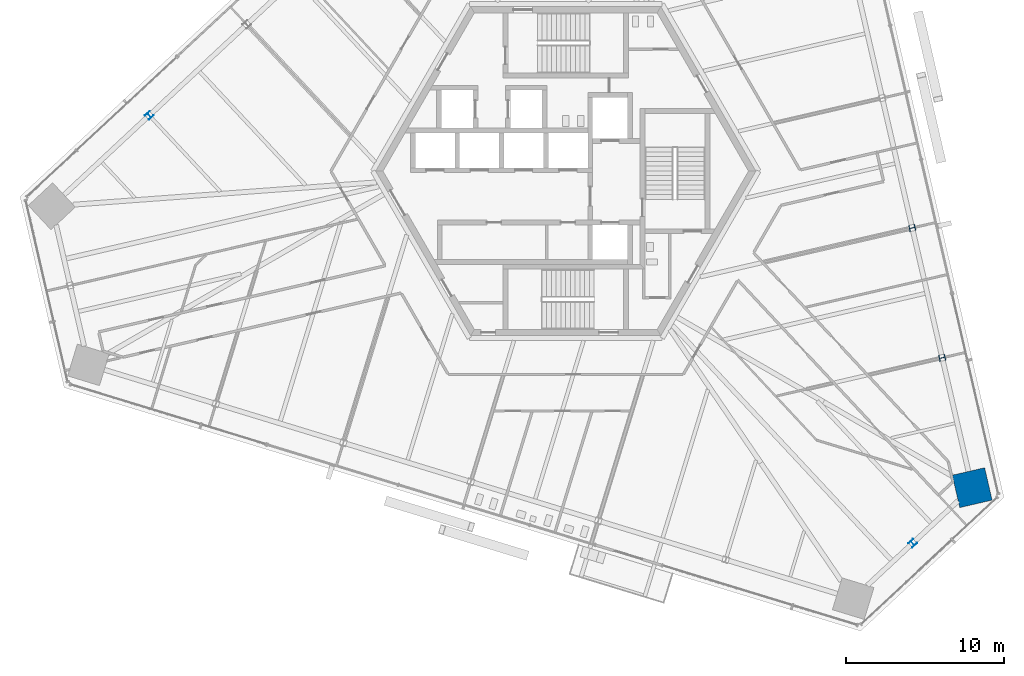
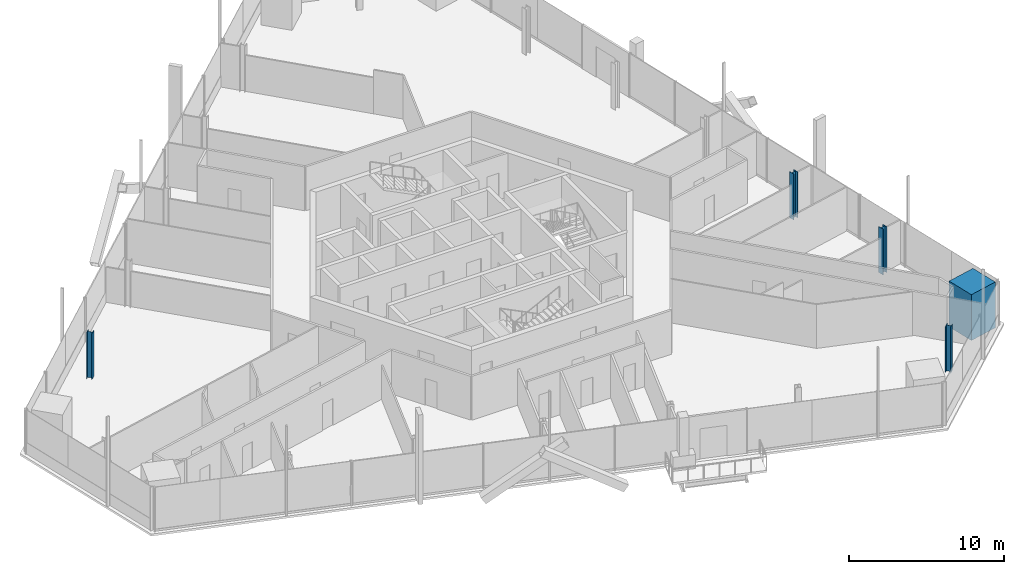
# One storey, part 2 of 24: 5 columns.
"""IFC4 building model written with IfcOpenShell, lengths in metres."""

from ifc_helpers import new_model, si_unit, direction, frame, origin, origin_2d, place, context, subcontext, project, spatial, rectangle, i_section, extrude, source, transform, mapped, material, material_profile, profile_set, type_object, element, save


model = new_model("IFC4")

# Units and contexts
model_context = context("Model", 3, precision=1e-05, world=origin(), true_north=direction((0.0, 1.0)))
body_context = subcontext(model_context, "Body", "Model", "MODEL_VIEW")
ifc_project = project(units=[si_unit("LENGTHUNIT", "METRE"), si_unit("AREAUNIT", "SQUARE_METRE"), si_unit("VOLUMEUNIT", "CUBIC_METRE"), si_unit("PLANEANGLEUNIT", "RADIAN"), si_unit("MASSUNIT", "GRAM", prefix="KILO")], contexts=[model_context])

# Site, building, storey
site_placement = place(None, origin())
site = spatial("IfcSite", under=ifc_project, at=site_placement, CompositionType="ELEMENT")
building_placement = place(site_placement, origin())
building = spatial("IfcBuilding", under=site, at=building_placement, Name="Triune Harvest Tower", CompositionType="ELEMENT")
storey_placement = place(building_placement, frame((0.0, 0.0, 112.699951171875)))
storey = spatial("IfcBuildingStorey", under=building, at=storey_placement, Name="L28", CompositionType="ELEMENT", Elevation=112.699951171875)

# Columns
ifc_material_1 = material(Name="Concrete 70 MPa", Category="concrete")
ifc_material_profile_1 = material_profile(ifc_material_1, rectangle(XDim=2.10009765625, YDim=2.10009765625, at=origin_2d()), Name="Composite 2100x2100")
ifc_profile_set_1 = profile_set([ifc_material_profile_1], Name="Concrete 70 MPa")
column_type_1 = type_object("IfcColumnType", Name="MC-3 Mega column Composite 2100x2100", PredefinedType="COLUMN", material=ifc_profile_set_1)
shared_shape_1 = source(origin(), body_context, "Body", "SweptSolid", [
    extrude(rectangle(XDim=2.10009765625, YDim=2.10009765625, at=origin_2d()), origin(), (0.0, 0.0, 1.0), 3.60009765625),
])
column_placement = place(storey_placement, frame((25.65869140625, -19.983642578125, 0.0), z_axis=(0.0, 0.0, 1.0), x_axis=(-0.22495275494, 0.97436967217, 0.0)))
element("IfcColumn", 1, at=column_placement, inside=storey, type_object=column_type_1, Name="col/L28/M0", PredefinedType="COLUMN", context=body_context, shape_type="MappedRepresentation", body=[
    mapped(shared_shape_1, transform((0.0, 0.0, 0.0), scale=1.0)),
])
ifc_material_2 = material(Name="Steel ASTM A992 Gr 50", Category="steel")
ifc_material_profile_2 = material_profile(ifc_material_2, i_section(OverallWidth=0.396240234375, OverallDepth=0.381103515625, WebThickness=0.01904296875, FlangeThickness=0.0302734375, at=origin_2d()), Name="W14x159")
ifc_profile_set_2 = profile_set([ifc_material_profile_2], Name="Steel ASTM A992 Gr 50")
column_type_2 = type_object("IfcColumnType", Name="PC-3 Perimeter column W14x159", PredefinedType="COLUMN", material=ifc_profile_set_2)
shared_shape_2 = source(origin(), body_context, "Body", "SweptSolid", [
    extrude(i_section(OverallWidth=0.396240234375, OverallDepth=0.381103515625, WebThickness=0.01904296875, FlangeThickness=0.0302734375, at=origin_2d()), origin(), (0.0, 0.0, 1.0), 3.60009765625),
])
for number, where, z_axis, x_axis, name in (
    (2, (23.765869140625, -11.784912109375, 0.0), (0.0, 0.0, 1.0), (-0.22495275494, 0.97436967217, 0.0), "col/L28/P1"),
    (3, (21.872802734375, -3.5859375, 0.0), (0.0, 0.0, 1.0), (-0.22495275494, 0.97436967217, 0.0), "col/L28/P2"),
    (4, (-26.29248046875, 3.51953125, 0.0), (0.0, 0.0, 1.0), (-0.73135489193, -0.681997083608, 0.0), "col/L28/P13"),
    (5, (21.90185546875, -23.48681640625, 0.0), (0.0, 0.0, 1.0), (0.731353701619, 0.681998360062, 0.0), "col/L28/P23"),
):
    element("IfcColumn", number, at=place(storey_placement, frame(where, z_axis=z_axis, x_axis=x_axis)), inside=storey, type_object=column_type_2, Name=name, PredefinedType="COLUMN", context=body_context, shape_type="MappedRepresentation", body=[
        mapped(shared_shape_2, transform((0.0, 0.0, 0.0), scale=1.0)),
    ])

save(model, "model.ifc")
